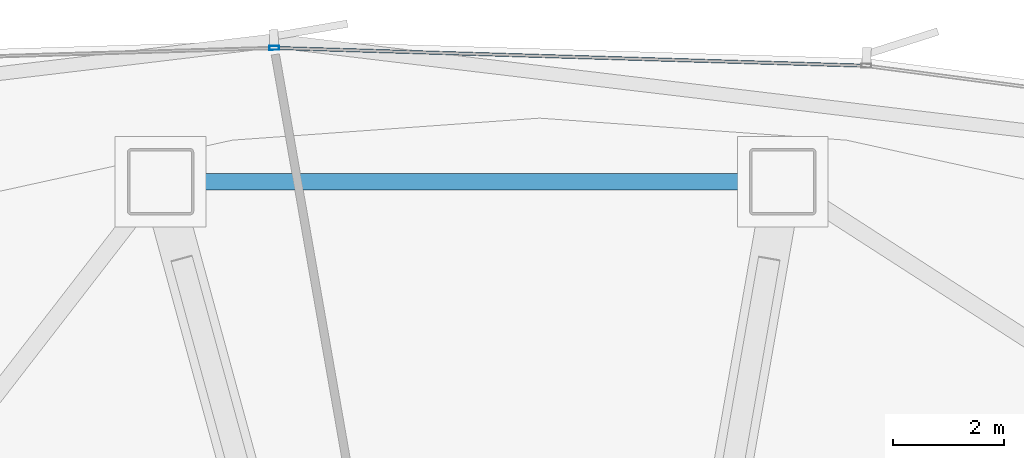
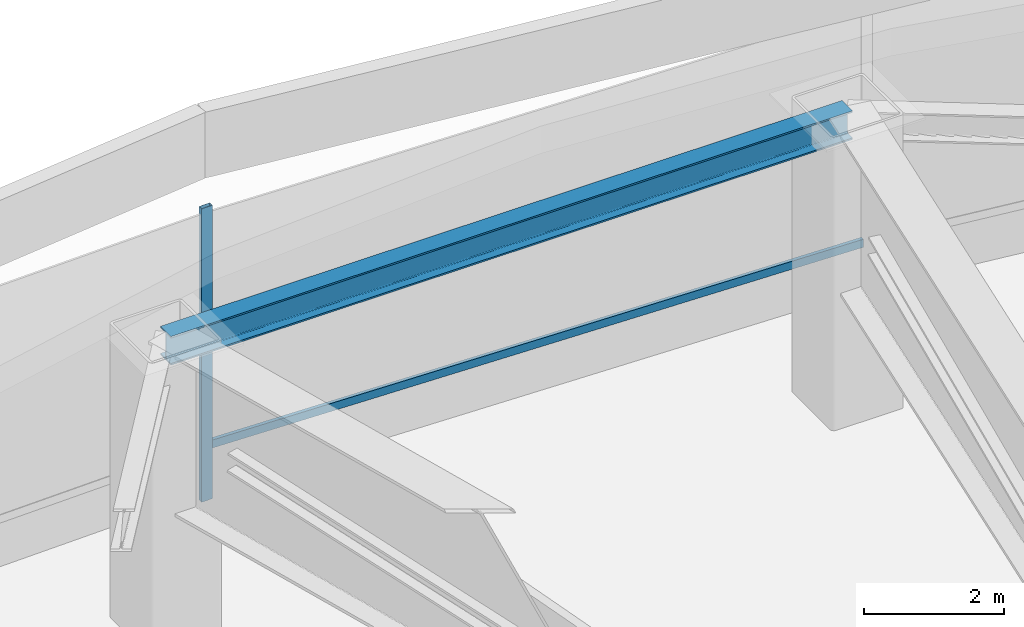
# One storey, part 16 of 36: 2 members, 1 beam, 1 element without a shape of its own.
"""IFC4 building model written with IfcOpenShell, lengths in metres."""

from ifc_helpers import new_model, si_unit, direction, frame, origin, origin_2d, place, context, subcontext, project, spatial, hollow_rectangle, i_section, extrude, source, transform, mapped, material, layer, layer_set, material_profile, profile_set, type_object, element, aggregate, save


model = new_model("IFC4")

# Units and contexts
model_context = context("Model", 3, precision=1e-05, world=origin(), true_north=direction((0.0, 1.0)))
body_context = subcontext(model_context, "Body", "Model", "MODEL_VIEW")
ifc_project = project(units=[si_unit("LENGTHUNIT", "METRE"), si_unit("AREAUNIT", "SQUARE_METRE"), si_unit("VOLUMEUNIT", "CUBIC_METRE"), si_unit("PLANEANGLEUNIT", "RADIAN"), si_unit("MASSUNIT", "GRAM", prefix="KILO"), si_unit("THERMODYNAMICTEMPERATUREUNIT", "KELVIN")], contexts=[model_context])

# Site, building, storey
site_placement = place(None, origin())
site = spatial("IfcSite", under=ifc_project, at=site_placement, CompositionType="ELEMENT")
building_placement = place(site_placement, origin())
building = spatial("IfcBuilding", under=site, at=building_placement, Name="Kethvar Cultural Tower", CompositionType="ELEMENT")
storey_placement = place(building_placement, frame((0.0, 0.0, 24.0)))
storey = spatial("IfcBuildingStorey", under=building, at=storey_placement, Name="L05", CompositionType="ELEMENT", Elevation=24.0)

# Beam
ifc_material_1 = material(Name="Steel S355J2", Category="steel")
ifc_material_profile_1 = material_profile(ifc_material_1, i_section(OverallWidth=0.300048828125, OverallDepth=0.5, WebThickness=0.014404296875, FlangeThickness=0.028076171875, FilletRadius=0.027099609375, at=origin_2d()), Name="Steel S355J2 — HEB500")
ifc_profile_set_1 = profile_set([ifc_material_profile_1], Name="Steel S355J2 — HEB500")
beam_type = type_object("IfcBeamType", Name="BM-SP500", PredefinedType="SPANDREL", material=ifc_profile_set_1)
shared_shape_1 = source(origin(), body_context, "Body", "SweptSolid", [
    extrude(i_section(OverallWidth=0.300048828125, OverallDepth=0.5, WebThickness=0.014404296875, FlangeThickness=0.028076171875, FilletRadius=0.027099609375, at=origin_2d()), origin(), (0.0, 0.0, 1.0), 11.25),
])
beam_placement = place(storey_placement, frame((51.199951171875, 52.85009765625, 4.865966796875), z_axis=(-1.0, 0.0, 0.0), x_axis=(0.0, -1.0, 0.0)))
element("IfcBeam", 1, at=beam_placement, inside=storey, type_object=beam_type, Name="L05 Podium Ring Beam 04", PredefinedType="SPANDREL", context=body_context, shape_type="MappedRepresentation", body=[
    mapped(shared_shape_1, transform((0.0, 0.0, 0.0), scale=1.0)),
])

# Curtain wall, members
ifc_material_2 = material(Name="Aluminium 6063-T6", Category="aluminium")
ifc_layer = layer(ifc_material_2, 0.179931640625, Name="Aluminium 6063-T6", Category="aluminium")
ifc_layer_set = layer_set([ifc_layer], Name="Aluminium 6063-T6 (180 mm)")
curtain_wall_type = type_object("IfcCurtainWallType", Name="CW-SYS-01-POD", PredefinedType="NOTDEFINED", material=ifc_layer_set)
curtain_wall_placement = place(storey_placement, origin())
curtain_wall = element("IfcCurtainWall", 2, at=curtain_wall_placement, inside=storey, type_object=curtain_wall_type, Name="L05 Curtain Wall Run 02", PredefinedType="NOTDEFINED")
ifc_material_profile_2 = material_profile(ifc_material_2, hollow_rectangle(XDim=0.06005859375, YDim=0.139892578125, WallThickness=0.0048828125, at=origin_2d()), Name="Aluminium 6063-T6 — RHS140x60x5")
ifc_profile_set_2 = profile_set([ifc_material_profile_2], Name="Aluminium 6063-T6 — RHS140x60x5")
member_type_1 = type_object("IfcMemberType", Name="CW-SYS-01-POD-TRN", PredefinedType="USERDEFINED", material=ifc_profile_set_2)
shared_shape_2 = source(origin(), body_context, "Body", "SweptSolid", [
    extrude(hollow_rectangle(XDim=0.06005859375, YDim=0.139892578125, WallThickness=0.0048828125, at=origin_2d()), origin(), (0.0, 0.0, 1.0), 10.61279296875),
])
member_1_placement = place(storey_placement, frame((52.657958984375, 54.948486328125, 0.949951171875), z_axis=(-0.999545810513, 0.030135903608, 0.0), x_axis=(-0.030135903608, -0.999545810513, 0.0)))
member_1 = element("IfcMember", 3, at=member_1_placement, type_object=member_type_1, Name="CW-L05-R02 Transom 3", ObjectType="TRANSOM", PredefinedType="USERDEFINED", context=body_context, shape_type="MappedRepresentation", body=[
    mapped(shared_shape_2, transform((0.0, 0.0, 0.0), scale=1.0)),
])
ifc_material_profile_3 = material_profile(ifc_material_2, hollow_rectangle(XDim=0.074951171875, YDim=0.179931640625, WallThickness=0.006103515625, at=origin_2d()), Name="Aluminium 6063-T6 — RHS180x75x6")
ifc_profile_set_3 = profile_set([ifc_material_profile_3], Name="Aluminium 6063-T6 — RHS180x75x6")
member_type_2 = type_object("IfcMemberType", Name="CW-SYS-01-POD-MUL", PredefinedType="MULLION", material=ifc_profile_set_3)
shared_shape_3 = source(origin(), body_context, "Body", "SweptSolid", [
    extrude(hollow_rectangle(XDim=0.074951171875, YDim=0.179931640625, WallThickness=0.006103515625, at=origin_2d()), origin(), (0.0, 0.0, 1.0), 5.1201171875),
])
member_2_placement = place(storey_placement, frame((42.00390625, 55.27001953125, 0.0), z_axis=(0.0, 0.0, 1.0), x_axis=(0.030137272261, -0.999545769248, 0.0)))
member_2 = element("IfcMember", 4, at=member_2_placement, type_object=member_type_2, Name="CW-L05-R02 Mullion 4", PredefinedType="MULLION", context=body_context, shape_type="MappedRepresentation", body=[
    mapped(shared_shape_3, transform((0.0, 0.0, 0.0), scale=1.0)),
])
aggregate(curtain_wall, [member_2, member_1])

save(model, "model.ifc")
